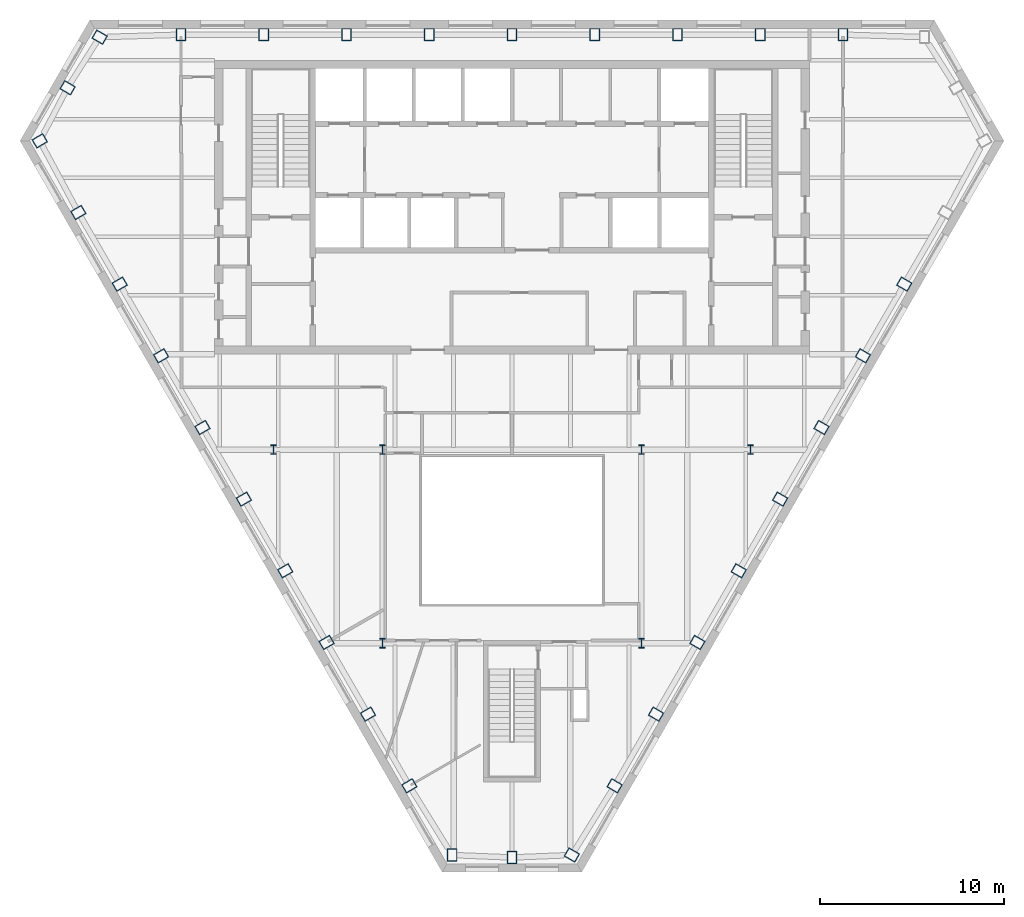
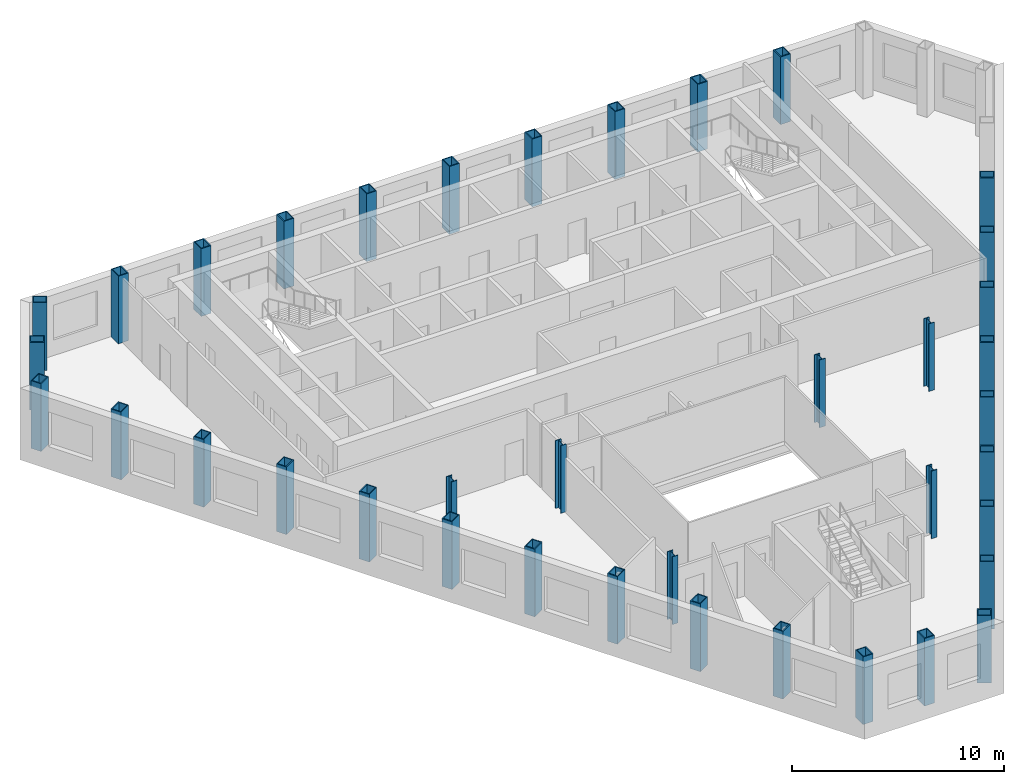
# One storey, part 1 of 10: 38 columns.
"""IFC4 building model written with IfcOpenShell, lengths in metres."""

from ifc_helpers import new_model, si_unit, direction, frame, origin, origin_2d, place, context, subcontext, project, spatial, hollow_rectangle, i_section, extrude, material, material_profile, profile_set, type_object, element, save


model = new_model("IFC4")

# Units and contexts
model_context = context("Model", 3, precision=1e-05, world=origin(), true_north=direction((0.0, 1.0)))
body_context = subcontext(model_context, "Body", "Model", "MODEL_VIEW")
ifc_project = project(units=[si_unit("LENGTHUNIT", "METRE"), si_unit("AREAUNIT", "SQUARE_METRE"), si_unit("VOLUMEUNIT", "CUBIC_METRE"), si_unit("PLANEANGLEUNIT", "RADIAN"), si_unit("MASSUNIT", "GRAM", prefix="KILO")], contexts=[model_context])

# Site, building, storey
site_placement = place(None, origin())
site = spatial("IfcSite", under=ifc_project, at=site_placement, CompositionType="ELEMENT")
building_placement = place(site_placement, origin())
building = spatial("IfcBuilding", under=site, at=building_placement, Name="Njiva Tower", CompositionType="ELEMENT")
storey_placement = place(building_placement, frame((0.0, 0.0, 200.4)))
storey = spatial("IfcBuildingStorey", under=building, at=storey_placement, Name="L44", CompositionType="ELEMENT", Elevation=200.4)

# Columns
ifc_material = material(Name="Steel S355 J2", Category="steel")
ifc_material_profile_1 = material_profile(ifc_material, hollow_rectangle(XDim=0.55, YDim=0.7, WallThickness=0.05, at=origin_2d()), Name="BOX 700x550x50")
ifc_profile_set_1 = profile_set([ifc_material_profile_1], Name="Steel S355 J2")
column_type_1 = type_object("IfcColumnType", Name="C11 Perimeter tube column BOX 700x550x50", PredefinedType="COLUMN", material=ifc_profile_set_1)
for number, where, z_axis, x_axis, name in (
    (1, (18.03, 19.4, 0.0), (0.0, 0.0, 1.0), (-1.0, 0.0, 0.0), "Perimeter tube column S14-C02"),
    (2, (13.523, 19.4, 0.0), (0.0, 0.0, 1.0), (-1.0, 0.0, 0.0), "Perimeter tube column S14-C03"),
    (3, (9.015, 19.4, 0.0), (0.0, 0.0, 1.0), (-1.0, 0.0, 0.0), "Perimeter tube column S14-C04"),
    (4, (4.508, 19.4, 0.0), (0.0, 0.0, 1.0), (-1.0, 0.0, 0.0), "Perimeter tube column S14-C05"),
    (5, (0.0, 19.4, 0.0), (0.0, 0.0, 1.0), (-1.0, 0.0, 0.0), "Perimeter tube column S14-C06"),
    (6, (-4.508, 19.4, 0.0), (0.0, 0.0, 1.0), (-1.0, 0.0, 0.0), "Perimeter tube column S14-C07"),
    (7, (-9.015, 19.4, 0.0), (0.0, 0.0, 1.0), (-1.0, 0.0, 0.0), "Perimeter tube column S14-C08"),
    (8, (-13.523, 19.4, 0.0), (0.0, 0.0, 1.0), (-1.0, 0.0, 0.0), "Perimeter tube column S14-C09"),
    (9, (-18.03, 19.4, 0.0), (0.0, 0.0, 1.0), (-1.0, 0.0, 0.0), "Perimeter tube column S14-C10"),
    (10, (-22.461, 19.267, 0.0), (0.0, 0.0, 1.0), (-0.5, -0.866025403784, 0.0), "Perimeter tube column S14-C11"),
    (11, (-24.207, 16.509, 0.0), (0.0, 0.0, 1.0), (-0.5, -0.866025403784, 0.0), "Perimeter tube column S14-C12"),
    (12, (-25.723, 13.618, 0.0), (0.0, 0.0, 1.0), (0.5, -0.866025403784, 0.0), "Perimeter tube column S14-C13"),
    (13, (-23.622, 9.714, 0.0), (0.0, 0.0, 1.0), (0.5, -0.866025403784, 0.0), "Perimeter tube column S14-C14"),
    (14, (-21.369, 5.811, 0.0), (0.0, 0.0, 1.0), (0.5, -0.866025403784, 0.0), "Perimeter tube column S14-C15"),
    (15, (-19.115, 1.907, 0.0), (0.0, 0.0, 1.0), (0.5, -0.866025403784, 0.0), "Perimeter tube column S14-C16"),
    (16, (-16.861, -1.997, 0.0), (0.0, 0.0, 1.0), (0.5, -0.866025403784, 0.0), "Perimeter tube column S14-C17"),
    (17, (-14.607, -5.9, 0.0), (0.0, 0.0, 1.0), (0.5, -0.866025403784, 0.0), "Perimeter tube column S14-C18"),
    (18, (-12.353, -9.804, 0.0), (0.0, 0.0, 1.0), (0.5, -0.866025403784, 0.0), "Perimeter tube column S14-C19"),
    (19, (-10.1, -13.708, 0.0), (0.0, 0.0, 1.0), (0.5, -0.866025403784, 0.0), "Perimeter tube column S14-C20"),
    (20, (-7.846, -17.612, 0.0), (0.0, 0.0, 1.0), (0.5, -0.866025403784, 0.0), "Perimeter tube column S14-C21"),
    (21, (-5.592, -21.515, 0.0), (0.0, 0.0, 1.0), (0.5, -0.866025403784, 0.0), "Perimeter tube column S14-C22"),
    (22, (-3.261, -25.286, 0.0), (0.0, 0.0, 1.0), (1.0, 0.0, 0.0), "Perimeter tube column S14-C23"),
    (23, (0.0, -25.419, 0.0), (0.0, 0.0, 1.0), (1.0, 0.0, 0.0), "Perimeter tube column S14-C24"),
    (24, (3.261, -25.286, 0.0), (0.0, 0.0, 1.0), (0.5, 0.866025403784, 0.0), "Perimeter tube column S14-C25"),
    (25, (5.592, -21.515, 0.0), (0.0, 0.0, 1.0), (0.5, 0.866025403784, 0.0), "Perimeter tube column S14-C26"),
    (26, (7.846, -17.612, 0.0), (0.0, 0.0, 1.0), (0.5, 0.866025403784, 0.0), "Perimeter tube column S14-C27"),
    (27, (10.1, -13.708, 0.0), (0.0, 0.0, 1.0), (0.5, 0.866025403784, 0.0), "Perimeter tube column S14-C28"),
    (28, (12.353, -9.804, 0.0), (0.0, 0.0, 1.0), (0.5, 0.866025403784, 0.0), "Perimeter tube column S14-C29"),
    (29, (14.607, -5.9, 0.0), (0.0, 0.0, 1.0), (0.5, 0.866025403784, 0.0), "Perimeter tube column S14-C30"),
    (30, (16.861, -1.997, 0.0), (0.0, 0.0, 1.0), (0.5, 0.866025403784, 0.0), "Perimeter tube column S14-C31"),
    (31, (19.115, 1.907, 0.0), (0.0, 0.0, 1.0), (0.5, 0.866025403784, 0.0), "Perimeter tube column S14-C32"),
    (32, (21.369, 5.811, 0.0), (0.0, 0.0, 1.0), (0.5, 0.866025403784, 0.0), "Perimeter tube column S14-C33"),
):
    element("IfcColumn", number, at=place(storey_placement, frame(where, z_axis=z_axis, x_axis=x_axis)), inside=storey, type_object=column_type_1, Name=name, PredefinedType="COLUMN", context=body_context, shape_type="SweptSolid", body=[
        extrude(hollow_rectangle(XDim=0.55, YDim=0.7, WallThickness=0.05, at=origin_2d()), origin(), (0.0, 0.0, 1.0), 3.9),
    ])
ifc_material_profile_2 = material_profile(ifc_material, i_section(OverallWidth=0.306, OverallDepth=0.524, WebThickness=0.021, FlangeThickness=0.04, at=origin_2d()), Name="HEM 500")
ifc_profile_set_2 = profile_set([ifc_material_profile_2], Name="Steel S355 J2")
column_type_2 = type_object("IfcColumnType", Name="C12 Interior column HEM 500", PredefinedType="COLUMN", material=ifc_profile_set_2)
for number, where, z_axis, x_axis, name in (
    (33, (7.05, -3.2, 0.0), (0.0, 0.0, 1.0), (1.0, 0.0, 0.0), "Interior column S14-C37"),
    (34, (-7.05, -3.2, 0.0), (0.0, 0.0, 1.0), (1.0, 0.0, 0.0), "Interior column S14-C38"),
    (35, (7.05, -13.75, 0.0), (0.0, 0.0, 1.0), (1.0, 0.0, 0.0), "Interior column S14-C39"),
    (36, (-7.05, -13.75, 0.0), (0.0, 0.0, 1.0), (1.0, 0.0, 0.0), "Interior column S14-C40"),
    (37, (13.0, -3.2, 0.0), (0.0, 0.0, 1.0), (1.0, 0.0, 0.0), "Interior column S14-C41"),
    (38, (-13.0, -3.2, 0.0), (0.0, 0.0, 1.0), (1.0, 0.0, 0.0), "Interior column S14-C42"),
):
    element("IfcColumn", number, at=place(storey_placement, frame(where, z_axis=z_axis, x_axis=x_axis)), inside=storey, type_object=column_type_2, Name=name, PredefinedType="COLUMN", context=body_context, shape_type="SweptSolid", body=[
        extrude(i_section(OverallWidth=0.306, OverallDepth=0.524, WebThickness=0.021, FlangeThickness=0.04, at=origin_2d()), origin(), (0.0, 0.0, 1.0), 3.9),
    ])

save(model, "model.ifc")
